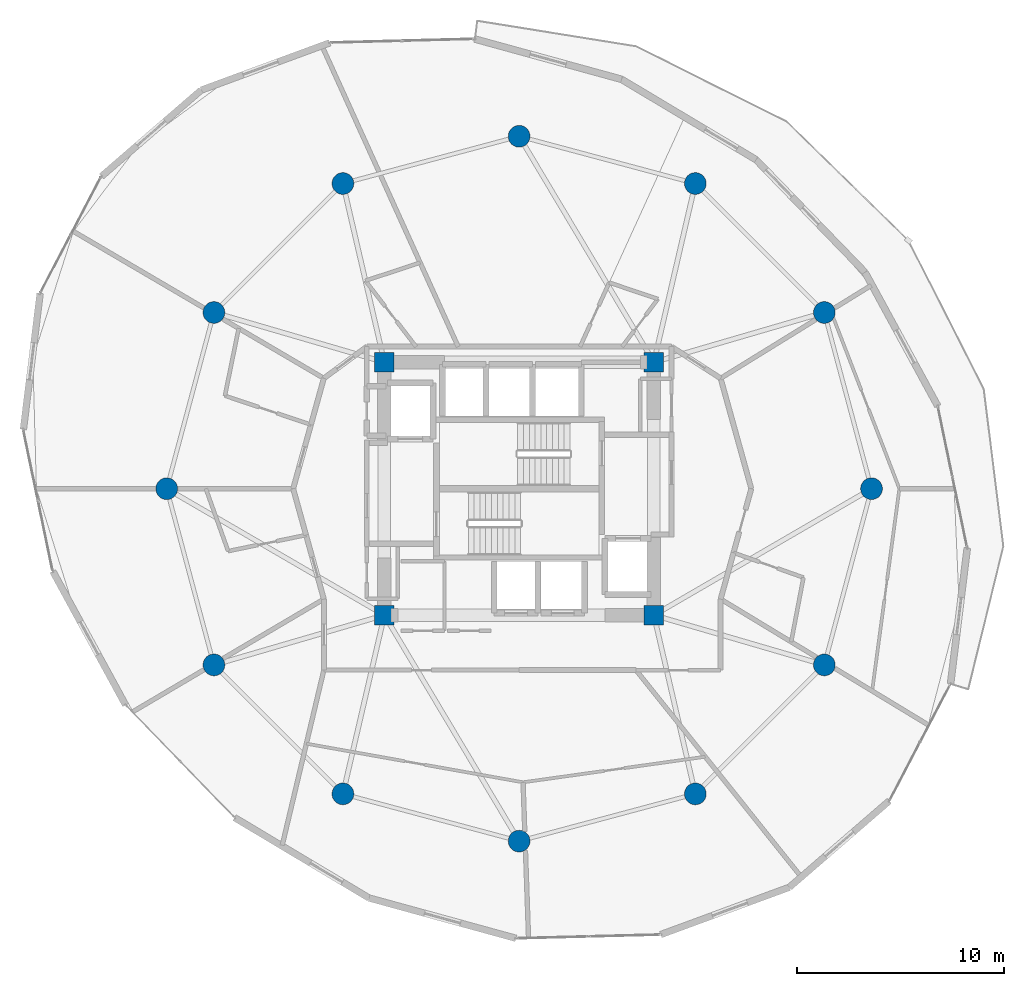
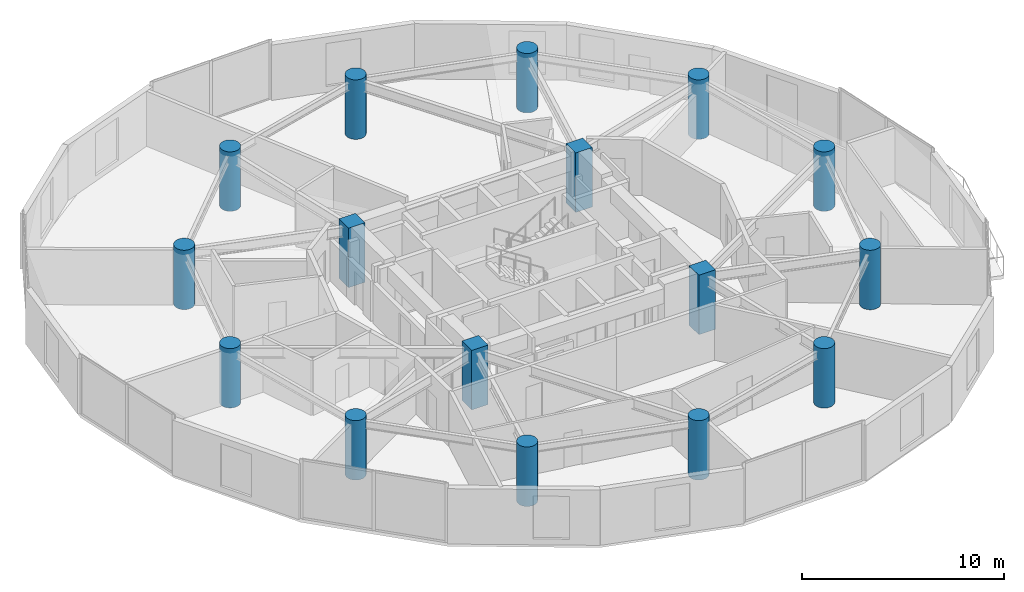
# One storey, part 1 of 25: 16 columns.
"""IFC4 building model written with IfcOpenShell, lengths in metres."""

from ifc_helpers import new_model, si_unit, direction, frame, origin, origin_2d, place, context, subcontext, project, spatial, rectangle, circle, extrude, material, material_profile, profile_set, type_object, element, save


model = new_model("IFC4")

# Units and contexts
model_context = context("Model", 3, precision=1e-05, world=origin(), true_north=direction((0.0, 1.0)))
body_context = subcontext(model_context, "Body", "Model", "MODEL_VIEW")
ifc_project = project(units=[si_unit("LENGTHUNIT", "METRE"), si_unit("AREAUNIT", "SQUARE_METRE"), si_unit("VOLUMEUNIT", "CUBIC_METRE"), si_unit("PLANEANGLEUNIT", "RADIAN"), si_unit("MASSUNIT", "GRAM", prefix="KILO")], contexts=[model_context])

# Site, building, storey
site_placement = place(None, origin())
site = spatial("IfcSite", under=ifc_project, at=site_placement, CompositionType="ELEMENT")
building_placement = place(site_placement, origin())
building = spatial("IfcBuilding", under=site, at=building_placement, Name="Solvirekh Grand Hotel", CompositionType="ELEMENT")
storey_placement = place(building_placement, frame((0.0, 0.0, 127.800048828125)))
storey = spatial("IfcBuildingStorey", under=building, at=storey_placement, Name="L32", CompositionType="ELEMENT", Elevation=127.800048828125)

# Columns
ifc_material = material(Name="Concrete C50/60", Category="concrete")
ifc_material_profile_1 = material_profile(ifc_material, rectangle(XDim=0.949951171875, YDim=0.949951171875, at=origin_2d()), Name="RC 950X950")
ifc_profile_set_1 = profile_set([ifc_material_profile_1], Name="Concrete C50/60")
column_type_1 = type_object("IfcColumnType", Name="Col_Core_950", PredefinedType="COLUMN", material=ifc_profile_set_1)
for number, where, z_axis, x_axis, name in (
    (1, (-6.5, -6.10009765625, 0.0), (0.0, 0.0, 1.0), (1.0, 0.0, 0.0), "L32 core corner column CC1"),
    (2, (6.5, -6.10009765625, 0.0), (0.0, 0.0, 1.0), (1.0, 0.0, 0.0), "L32 core corner column CC2"),
    (3, (6.5, 6.10009765625, 0.0), (0.0, 0.0, 1.0), (1.0, 0.0, 0.0), "L32 core corner column CC3"),
    (4, (-6.5, 6.10009765625, 0.0), (0.0, 0.0, 1.0), (1.0, 0.0, 0.0), "L32 core corner column CC4"),
):
    element("IfcColumn", number, at=place(storey_placement, frame(where, z_axis=z_axis, x_axis=x_axis)), inside=storey, type_object=column_type_1, Name=name, PredefinedType="COLUMN", context=body_context, shape_type="SweptSolid", body=[
        extrude(rectangle(XDim=0.949951171875, YDim=0.949951171875, at=origin_2d()), origin(), (0.0, 0.0, 1.0), 3.599853515625),
    ])
ifc_material_profile_2 = material_profile(ifc_material, circle(Radius=0.52490234375, at=origin_2d()), Name="RC CIRC D1050")
ifc_profile_set_2 = profile_set([ifc_material_profile_2], Name="Concrete C50/60")
column_type_2 = type_object("IfcColumnType", Name="Col_Z2_D1050", PredefinedType="COLUMN", material=ifc_profile_set_2)
for number, where, z_axis, x_axis, name in (
    (5, (17.0, 0.0, 0.0), (0.0, 0.0, 1.0), (1.0, 0.0, 0.0), "L32 perimeter column P01"),
    (6, (14.721923828125, 8.5, 0.0), (0.0, 0.0, 1.0), (1.0, 0.0, 0.0), "L32 perimeter column P02"),
    (7, (8.5, 14.721923828125, 0.0), (0.0, 0.0, 1.0), (1.0, 0.0, 0.0), "L32 perimeter column P03"),
    (8, (0.0, 17.0, 0.0), (0.0, 0.0, 1.0), (1.0, 0.0, 0.0), "L32 perimeter column P04"),
    (9, (-8.5, 14.721923828125, 0.0), (0.0, 0.0, 1.0), (1.0, 0.0, 0.0), "L32 perimeter column P05"),
    (10, (-14.721923828125, 8.5, 0.0), (0.0, 0.0, 1.0), (1.0, 0.0, 0.0), "L32 perimeter column P06"),
    (11, (-17.0, 0.0, 0.0), (0.0, 0.0, 1.0), (1.0, 0.0, 0.0), "L32 perimeter column P07"),
    (12, (-14.721923828125, -8.5, 0.0), (0.0, 0.0, 1.0), (1.0, 0.0, 0.0), "L32 perimeter column P08"),
    (13, (-8.5, -14.721923828125, 0.0), (0.0, 0.0, 1.0), (1.0, 0.0, 0.0), "L32 perimeter column P09"),
    (14, (0.0, -17.0, 0.0), (0.0, 0.0, 1.0), (1.0, 0.0, 0.0), "L32 perimeter column P10"),
    (15, (8.5, -14.721923828125, 0.0), (0.0, 0.0, 1.0), (1.0, 0.0, 0.0), "L32 perimeter column P11"),
    (16, (14.721923828125, -8.5, 0.0), (0.0, 0.0, 1.0), (1.0, 0.0, 0.0), "L32 perimeter column P12"),
):
    element("IfcColumn", number, at=place(storey_placement, frame(where, z_axis=z_axis, x_axis=x_axis)), inside=storey, type_object=column_type_2, Name=name, PredefinedType="COLUMN", context=body_context, shape_type="SweptSolid", body=[
        extrude(circle(Radius=0.52490234375, at=origin_2d()), origin(), (0.0, 0.0, 1.0), 3.599853515625),
    ])

save(model, "model.ifc")
